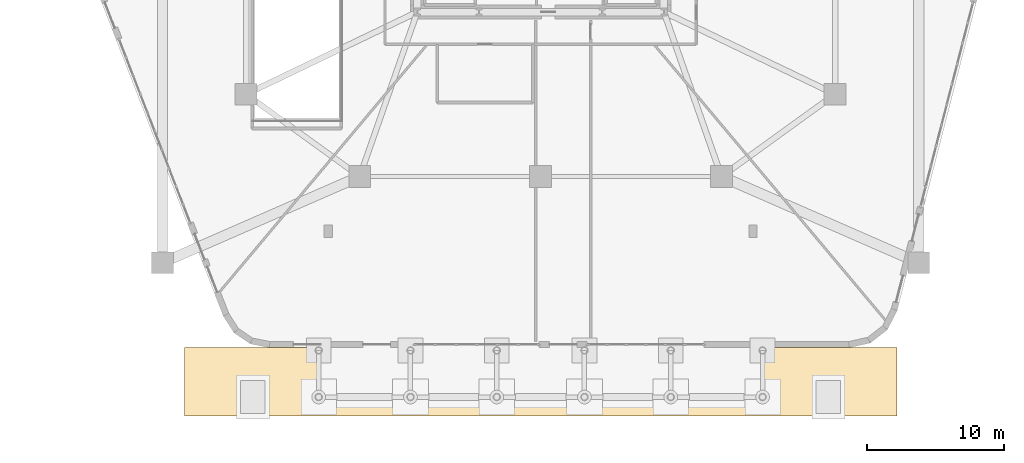
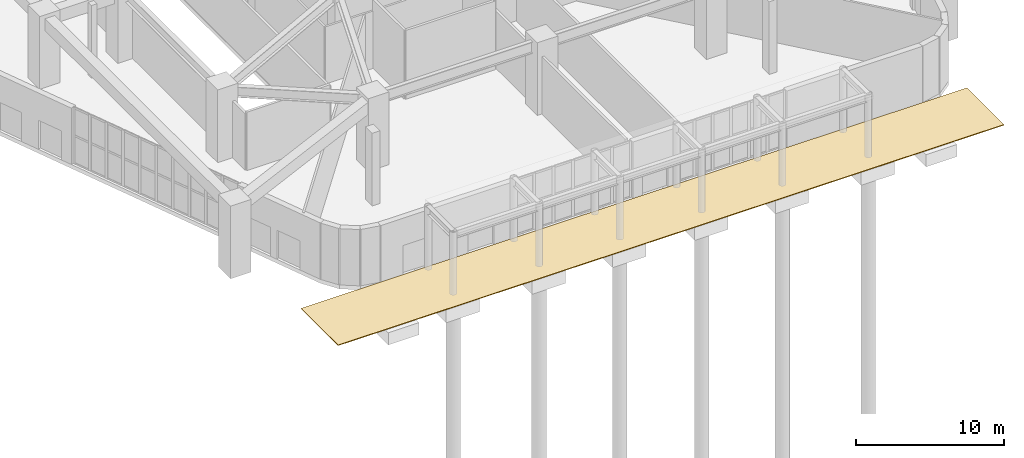
# One storey, part 29 of 35: 1 covering.
"""IFC4 building model written with IfcOpenShell, lengths in metres."""

from ifc_helpers import new_model, si_unit, direction, frame, origin, place, context, subcontext, project, spatial, polyline, outline, extrude, material, layer, layer_set, type_object, element, save


model = new_model("IFC4")

# Units and contexts
model_context = context("Model", 3, precision=1e-05, world=origin(), true_north=direction((0.0, 1.0)))
body_context = subcontext(model_context, "Body", "Model", "MODEL_VIEW")
ifc_project = project(units=[si_unit("LENGTHUNIT", "METRE"), si_unit("AREAUNIT", "SQUARE_METRE"), si_unit("VOLUMEUNIT", "CUBIC_METRE"), si_unit("PLANEANGLEUNIT", "RADIAN"), si_unit("MASSUNIT", "GRAM", prefix="KILO")], contexts=[model_context])

# Site, building, storey
site_placement = place(None, origin())
site = spatial("IfcSite", under=ifc_project, at=site_placement, CompositionType="ELEMENT")
building_placement = place(site_placement, origin())
building = spatial("IfcBuilding", under=site, at=building_placement, Name="Kilnhurst Terrace Hotel", CompositionType="ELEMENT")
storey_placement = place(building_placement, origin())
storey = spatial("IfcBuildingStorey", under=building, at=storey_placement, Name="L00", CompositionType="ELEMENT", Elevation=0.0)

# Covering
ifc_material = material(Name="Flamed Texas Pink Granite Forecourt Paving", Category="masonry")
ifc_layer = layer(ifc_material, 0.06005859375, Name="Flamed Texas Pink Granite Forecourt Paving")
ifc_layer_set = layer_set([ifc_layer], Name="Flamed Texas Pink Granite Forecourt Paving")
covering_type = type_object("IfcCoveringType", Name="COV-PAV-GRANITE", PredefinedType="FLOORING", material=ifc_layer_set)
covering_placement = place(storey_placement, frame((0.0, 0.0, -0.06005859375)))
element("IfcCovering", 1, at=covering_placement, inside=storey, type_object=covering_type, Name="L00 Forecourt Granite Paving 1", PredefinedType="FLOORING", context=body_context, shape_type="SweptSolid", body=[
    extrude(outline(polyline([(-26.0, -37.0), (26.0, -37.0), (26.0, -32.0), (-26.0, -32.0), (-26.0, -37.0)])), origin(), (0.0, 0.0, 1.0), 0.06005859375),
])

save(model, "model.ifc")
